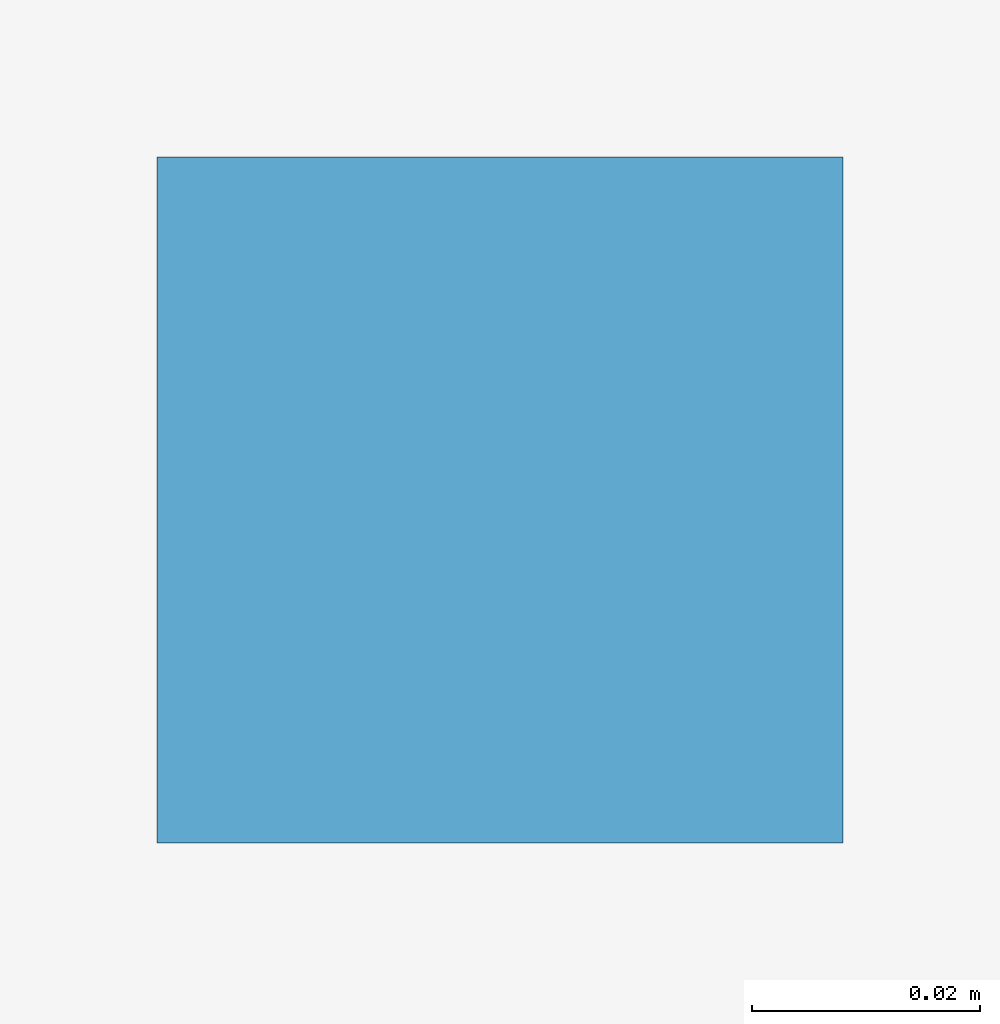
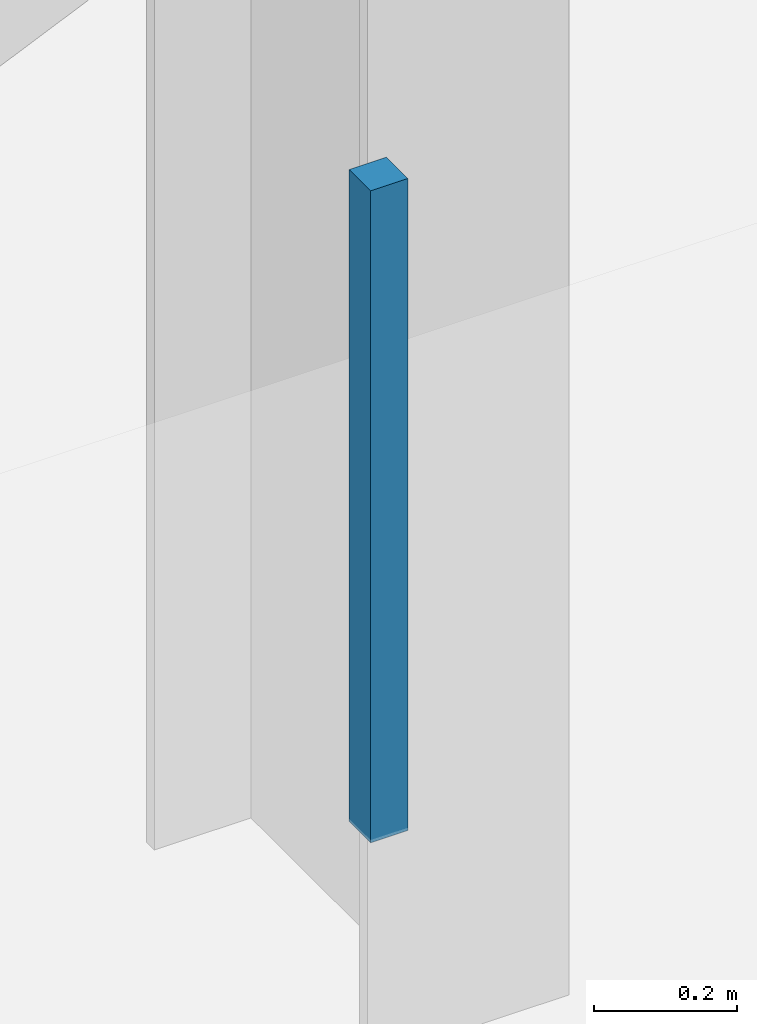
# One storey, part 119 of 139: 1 discrete accessory.
"""IFC4 building model written with IfcOpenShell, lengths in metres."""

from ifc_helpers import new_model, si_unit, derived_unit, direction, frame, origin, origin_2d, place, context, subcontext, project, spatial, rectangle, extrude, material, layer, layer_set, type_object, element, save


model = new_model("IFC4")

# Units and contexts
model_context = context("Model", 3, precision=1e-05, world=origin(), true_north=direction((0.0, 1.0)))
body_context = subcontext(model_context, "Body", "Model", "MODEL_VIEW")
ifc_project = project(units=[si_unit("LENGTHUNIT", "METRE"), si_unit("AREAUNIT", "SQUARE_METRE"), si_unit("VOLUMEUNIT", "CUBIC_METRE"), si_unit("PLANEANGLEUNIT", "RADIAN"), si_unit("MASSUNIT", "GRAM", prefix="KILO"), derived_unit("THERMALTRANSMITTANCEUNIT", [(si_unit("MASSUNIT", "GRAM", prefix="KILO"), 1), (si_unit("TIMEUNIT", "SECOND"), -3), (si_unit("THERMODYNAMICTEMPERATUREUNIT", "KELVIN"), -1)])], contexts=[model_context])

# Site, building, storey
site_placement = place(None, origin())
site = spatial("IfcSite", under=ifc_project, at=site_placement, CompositionType="ELEMENT")
building_placement = place(site_placement, origin())
building = spatial("IfcBuilding", under=site, at=building_placement, Name="Makaiwela Harbour Ferry Terminal", CompositionType="ELEMENT")
storey_placement = place(building_placement, frame((0.0, 0.0, 5.10009765625)))
storey = spatial("IfcBuildingStorey", under=building, at=storey_placement, Name="L01", CompositionType="ELEMENT", Elevation=5.10009765625)

# Discrete accessory
ifc_material = material(Name="Marine grade 316L brushed stainless steel", Category="steel")
ifc_layer = layer(ifc_material, 1.0)
ifc_layer_set = layer_set([ifc_layer], Name="Marine grade 316L brushed stainless steel")
discrete_accessory_type = type_object("IfcDiscreteAccessoryType", Name="INT-ACC-HNG", PredefinedType="BRACKET", material=ifc_layer_set)
discrete_accessory_placement = place(storey_placement, frame((24.2763671875, 80.450927734375, 3.134765625), z_axis=(0.0, 0.0, 1.0), x_axis=(1.0, 0.0, 0.0)))
element("IfcDiscreteAccessory", 1, at=discrete_accessory_placement, inside=storey, type_object=discrete_accessory_type, Name="Ceiling Suspension Bracket HNG-031", PredefinedType="BRACKET", context=body_context, shape_type="SweptSolid", body=[
    extrude(rectangle(XDim=0.06005859375, YDim=0.06005859375, at=origin_2d()), origin(), (0.0, 0.0, 1.0), 1.110107421875),
])

save(model, "model.ifc")
